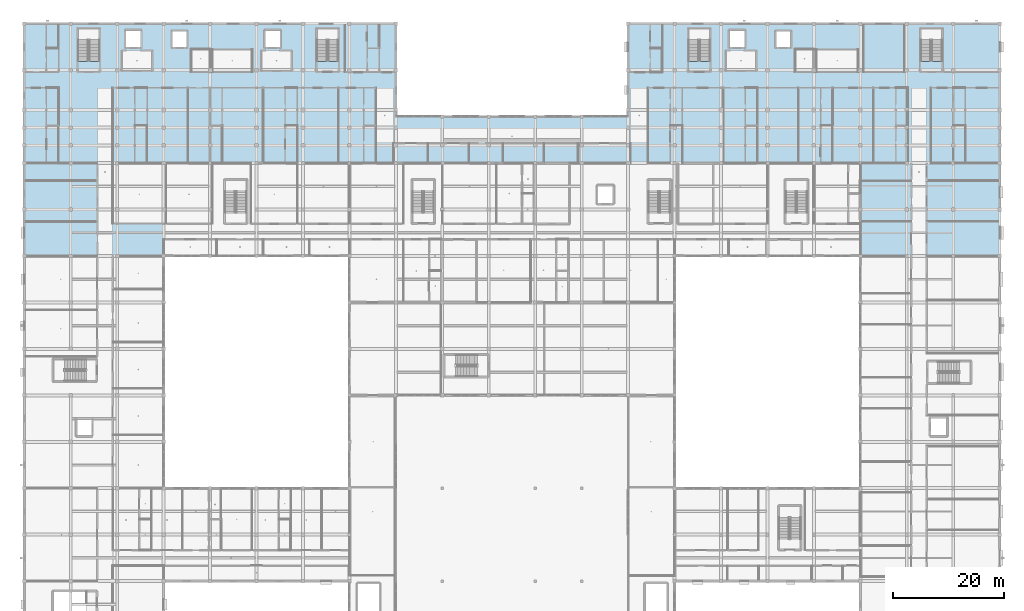
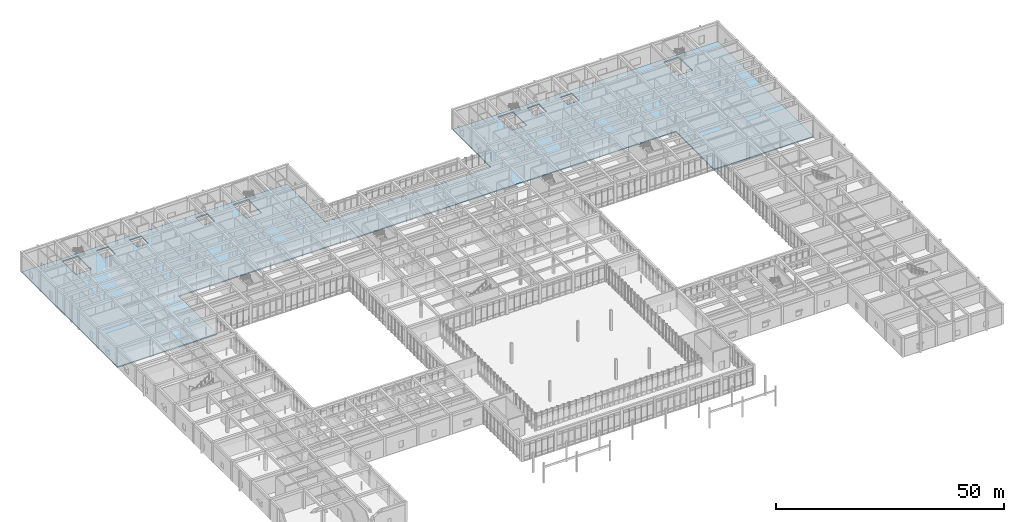
# One storey, part 70 of 157: 1 slab.
"""IFC4 building model written with IfcOpenShell, lengths in metres."""

from ifc_helpers import new_model, si_unit, direction, frame, origin, place, context, subcontext, project, spatial, polyline, outline, extrude, material, layer, layer_set, type_object, element, save


model = new_model("IFC4")

# Units and contexts
model_context = context("Model", 3, precision=1e-05, world=origin(), true_north=direction((0.0, 1.0)))
body_context = subcontext(model_context, "Body", "Model", "MODEL_VIEW")
ifc_project = project(units=[si_unit("LENGTHUNIT", "METRE"), si_unit("AREAUNIT", "SQUARE_METRE"), si_unit("VOLUMEUNIT", "CUBIC_METRE"), si_unit("PLANEANGLEUNIT", "RADIAN"), si_unit("MASSUNIT", "GRAM", prefix="KILO")], contexts=[model_context])

# Site, building, storey
site_placement = place(None, origin())
site = spatial("IfcSite", under=ifc_project, at=site_placement, CompositionType="ELEMENT")
building_placement = place(site_placement, origin())
building = spatial("IfcBuilding", under=site, at=building_placement, Name="Varncliffe General Hospital", CompositionType="ELEMENT")
storey_placement = place(building_placement, frame((0.0, 0.0, 5.39990234375)))
storey = spatial("IfcBuildingStorey", under=building, at=storey_placement, Name="L01", CompositionType="ELEMENT", Elevation=5.39990234375)

# Slab
ifc_material = material(Name="Concrete C35/45 (CSA A23.1 35 MPa)", Category="concrete")
ifc_layer = layer(ifc_material, 0.280029296875)
ifc_layer_set = layer_set([ifc_layer], Name="Concrete C35/45 (CSA A23.1 35 MPa)")
slab_type = type_object("IfcSlabType", Name="Floor Slab SL16 (Int 280mm)", PredefinedType="FLOOR", material=ifc_layer_set)
slab_placement = place(storey_placement, frame((0.0, 0.0, -0.27978515625)))
element("IfcSlab", 1, at=slab_placement, inside=storey, type_object=slab_type, Name="L01 V6 Structural Floor Slab 1", PredefinedType="FLOOR", context=body_context, shape_type="SweptSolid", body=[
    extrude(outline(polyline([(0.0, 99.60009765625), (0.0, 124.800048828125), (67.199951171875, 124.800048828125), (67.199951171875, 108.0), (109.199951171875, 108.0), (109.199951171875, 124.800048828125), (176.39990234375, 124.800048828125), (176.39990234375, 99.60009765625), (176.39990234375, 82.800048828125), (151.199951171875, 82.800048828125), (151.199951171875, 99.60009765625), (109.199951171875, 99.60009765625), (67.199951171875, 99.60009765625), (25.199951171875, 99.60009765625), (25.199951171875, 82.800048828125), (0.0, 82.800048828125), (0.0, 99.60009765625)]), holes=[polyline([(13.60009765625, 118.0), (13.60009765625, 123.949951171875), (9.699951171875, 123.949951171875), (9.699951171875, 118.0), (13.60009765625, 118.0)]), polyline([(56.800048828125, 118.0), (56.800048828125, 123.949951171875), (52.89990234375, 123.949951171875), (52.89990234375, 118.0), (56.800048828125, 118.0)]), polyline([(124.0, 118.0), (124.0, 123.949951171875), (120.10009765625, 123.949951171875), (120.10009765625, 118.0), (124.0, 118.0)]), polyline([(166.0, 118.0), (166.0, 123.949951171875), (162.10009765625, 123.949951171875), (162.10009765625, 118.0), (166.0, 118.0)]), polyline([(18.199951171875, 120.39990234375), (21.199951171875, 120.39990234375), (21.199951171875, 123.699951171875), (18.199951171875, 123.699951171875), (18.199951171875, 120.39990234375)]), polyline([(43.39990234375, 120.39990234375), (46.39990234375, 120.39990234375), (46.39990234375, 123.699951171875), (43.39990234375, 123.699951171875), (43.39990234375, 120.39990234375)]), polyline([(127.39990234375, 120.39990234375), (130.39990234375, 120.39990234375), (130.39990234375, 123.699951171875), (127.39990234375, 123.699951171875), (127.39990234375, 120.39990234375)]), polyline([(26.60009765625, 120.39990234375), (29.5, 120.39990234375), (29.5, 123.60009765625), (26.60009765625, 123.60009765625), (26.60009765625, 120.39990234375)]), polyline([(135.800048828125, 120.39990234375), (138.699951171875, 120.39990234375), (138.699951171875, 123.60009765625), (135.800048828125, 123.60009765625), (135.800048828125, 120.39990234375)])]), origin(), (0.0, 0.0, 1.0), 0.27978515625),
])

save(model, "model.ifc")
